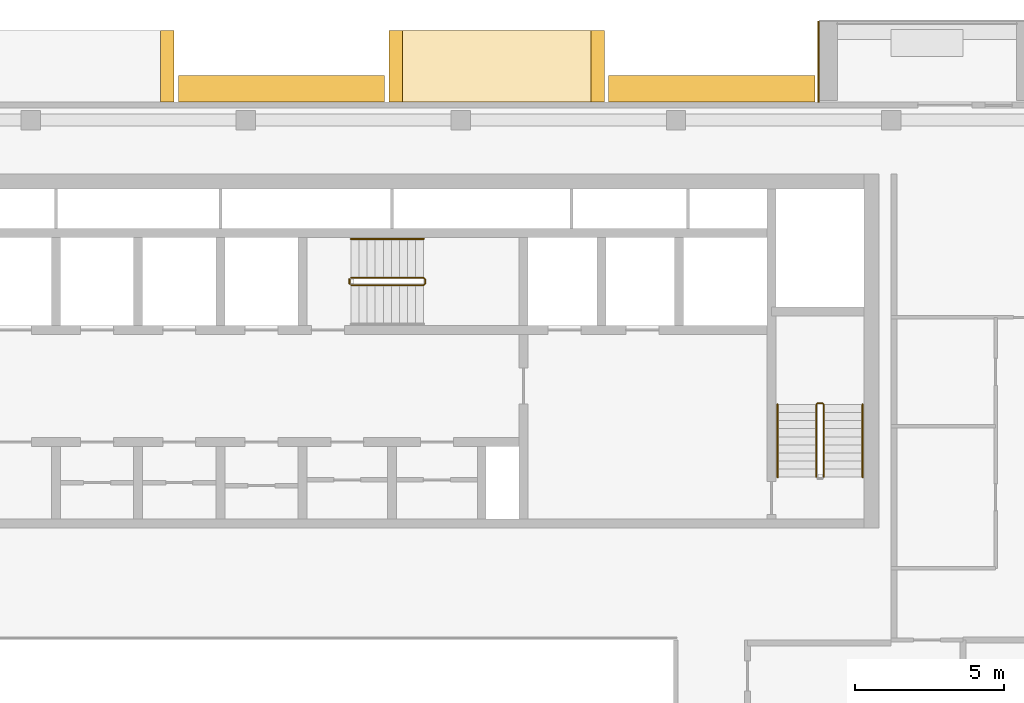
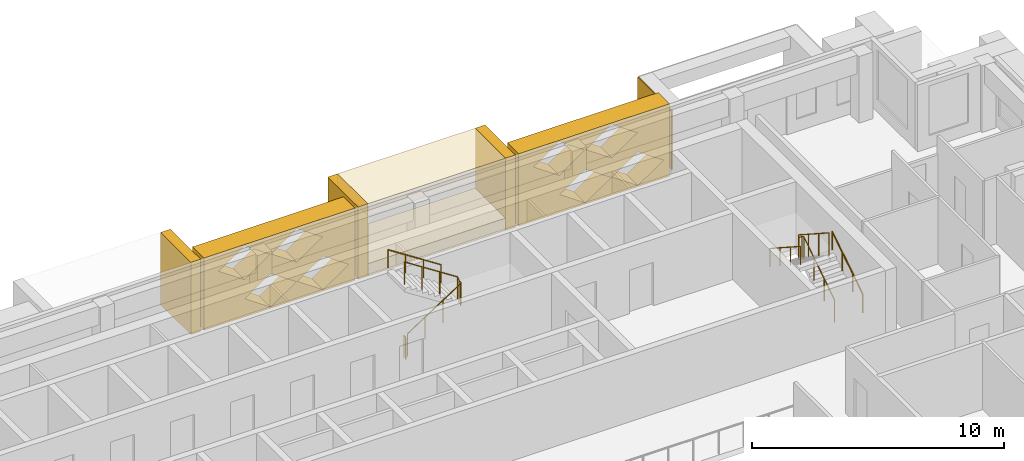
# One storey, part 18 of 19: 8 coverings, 6 railings.
"""IFC4 building model written with IfcOpenShell, lengths in metres."""

from ifc_helpers import new_model, si_unit, direction, frame, origin, origin_2d, place, context, subcontext, project, spatial, polyline, circle, outline, extrude, material, layer, layer_set, type_object, element, save


model = new_model("IFC4")

# Units and contexts
model_context = context("Model", 3, precision=1e-05, world=origin(), true_north=direction((0.0, 1.0)))
body_context = subcontext(model_context, "Body", "Model", "MODEL_VIEW")
ifc_project = project(units=[si_unit("LENGTHUNIT", "METRE"), si_unit("AREAUNIT", "SQUARE_METRE"), si_unit("VOLUMEUNIT", "CUBIC_METRE"), si_unit("PLANEANGLEUNIT", "RADIAN"), si_unit("MASSUNIT", "GRAM", prefix="KILO")], contexts=[model_context])

# Site, building, storey
site_placement = place(None, origin())
site = spatial("IfcSite", under=ifc_project, at=site_placement, CompositionType="ELEMENT")
building_placement = place(site_placement, origin())
building = spatial("IfcBuilding", under=site, at=building_placement, Name="Saffron Iwan Residences", CompositionType="ELEMENT")
storey_placement = place(building_placement, frame((0.0, 0.0, 236.0)))
storey = spatial("IfcBuildingStorey", under=building, at=storey_placement, Name="L63", CompositionType="ELEMENT", Elevation=236.0)

# Coverings
ifc_material_1 = material(Name="Precast concrete C40/50 white painted", Category="concrete")
ifc_layer = layer(ifc_material_1, 0.050048828125)
ifc_layer_set = layer_set([ifc_layer], Name="Precast concrete C40/50 white painted")
covering_type_1 = type_object("IfcCoveringType", Name="FRAME SKIN PRECAST WHITE 50", PredefinedType="CLADDING", material=ifc_layer_set)
covering_1_placement = place(storey_placement, origin())
element("IfcCovering", 1, at=covering_1_placement, inside=storey, type_object=covering_type_1, Name="Frame skin fin L63 F5-0b", PredefinedType="CLADDING", context=body_context, shape_type="SweptSolid", body=[
    extrude(outline(polyline([(69.60009765625, 83.10009765625), (69.550048828125, 83.10009765625), (69.550048828125, 80.39990234375), (69.60009765625, 80.39990234375), (69.60009765625, 83.10009765625)])), origin(), (0.0, 0.0, 1.0), 2.85009765625),
])
ifc_material_2 = material(Name="Precast concrete C40/50", Category="concrete")
covering_type_2 = type_object("IfcCoveringType", Name="OUTER SKIN LATTICE SCREEN", PredefinedType="CLADDING", material=ifc_material_2)
for number, where, z_axis, x_axis, name in (
    (2, (69.449951171875, 80.39990234375, -0.280029296875), (0.0, 1.0, 0.0), (-1.0, 0.0, 0.0), "OUTER SKIN lattice screen L63 F5.1"),
    (3, (55.050048828125, 80.39990234375, -0.280029296875), (0.0, 1.0, 0.0), (-1.0, 0.0, 0.0), "OUTER SKIN lattice screen L63 F5.2"),
):
    element("IfcCovering", number, at=place(storey_placement, frame(where, z_axis=z_axis, x_axis=x_axis)), inside=storey, type_object=covering_type_2, Name=name, PredefinedType="CLADDING", context=body_context, shape_type="SweptSolid", body=[
        extrude(outline(polyline([(0.0, 0.0), (6.89990234375, 0.0), (6.89990234375, 3.5), (0.0, 3.5), (0.0, 0.0)]), holes=[polyline([(0.27001953125, 0.875), (1.449951171875, 0.06005859375), (2.6298828125, 0.875), (1.449951171875, 1.68994140625), (0.27001953125, 0.875)]), polyline([(2.669921875, 0.875), (3.85009765625, 0.06005859375), (5.030029296875, 0.875), (3.85009765625, 1.68994140625), (2.669921875, 0.875)]), polyline([(1.469970703125, 2.625), (2.64990234375, 1.81005859375), (3.830078125, 2.625), (2.64990234375, 3.43994140625), (1.469970703125, 2.625)]), polyline([(3.8701171875, 2.625), (5.050048828125, 1.81005859375), (6.22998046875, 2.625), (5.050048828125, 3.43994140625), (3.8701171875, 2.625)])]), origin(), (0.0, 0.0, 1.0), 0.900146484375),
    ])

# Railings
ifc_material_3 = material(Name="Steel S355", Category="steel")
railing_type_1 = type_object("IfcRailingType", Name="Stair guard 1100", PredefinedType="GUARDRAIL", material=ifc_material_3)
railing_1_placement = place(storey_placement, frame((53.925048828125, 74.27490234375, 0.175048828125)))
element("IfcRailing", 4, at=railing_1_placement, inside=storey, type_object=railing_type_1, Name="L63 ST-C stair guard 1", PredefinedType="GUARDRAIL", context=body_context, shape_type="SweptSolid", body=[
    extrude(circle(Radius=0.02392578125, at=origin_2d()), frame((0.0, 0.0, 1.076171875), z_axis=(0.839153699163, 0.0, 0.543894354798), x_axis=(0.0, 1.0, 0.0)), (0.0, 0.0, 1.0), 2.895751953125),
    extrude(circle(Radius=0.02392578125, at=origin_2d()), frame((2.429931640625, 0.0, 2.65087890625), z_axis=(0.707106781187, 0.707106781187, 0.0), x_axis=(-0.707106781187, 0.707106781187, 0.0)), (0.0, 0.0, 1.0), 0.07080078125),
    extrude(circle(Radius=0.02392578125, at=origin_2d()), frame((2.47998046875, 0.050048828125, 2.65087890625), z_axis=(0.0, 1.0, 0.0), x_axis=(-1.0, 0.0, 0.0)), (0.0, 0.0, 1.0), 0.150146484375),
    extrude(circle(Radius=0.02392578125, at=origin_2d()), frame((2.47998046875, 0.2001953125, 2.65087890625), z_axis=(-0.265155923931, 0.263862480399, 0.927399011991), x_axis=(-0.705375805398, -0.708833529934, 0.0)), (0.0, 0.0, 1.0), 0.188720703125),
    extrude(circle(Radius=0.02392578125, at=origin_2d()), frame((2.429931640625, 0.25, 2.826171875), z_axis=(-0.839153699163, 0.0, 0.543894354798), x_axis=(0.0, -1.0, 0.0)), (0.0, 0.0, 1.0), 2.895751953125),
    extrude(circle(Radius=0.02099609375, at=origin_2d()), origin(), (0.0, 0.0, 1.0), 1.052001953125),
    extrude(circle(Radius=0.02099609375, at=origin_2d()), frame((0.81005859375, 0.0, 0.52490234375)), (0.0, 0.0, 1.0), 1.052001953125),
    extrude(circle(Radius=0.02099609375, at=origin_2d()), frame((1.619873046875, 0.0, 1.050048828125)), (0.0, 0.0, 1.0), 1.052001953125),
    extrude(circle(Radius=0.02099609375, at=origin_2d()), frame((2.429931640625, 0.0, 1.574951171875)), (0.0, 0.0, 1.0), 1.052001953125),
    extrude(circle(Radius=0.02099609375, at=origin_2d()), frame((2.47998046875, 0.050048828125, 1.574951171875)), (0.0, 0.0, 1.0), 1.052001953125),
    extrude(circle(Radius=0.02099609375, at=origin_2d()), frame((2.47998046875, 0.2001953125, 1.574951171875)), (0.0, 0.0, 1.0), 1.052001953125),
    extrude(circle(Radius=0.02099609375, at=origin_2d()), frame((2.429931640625, 0.25, 1.75)), (0.0, 0.0, 1.0), 1.052001953125),
    extrude(circle(Radius=0.02099609375, at=origin_2d()), frame((1.619873046875, 0.25, 2.27490234375)), (0.0, 0.0, 1.0), 1.052001953125),
    extrude(circle(Radius=0.02099609375, at=origin_2d()), frame((0.81005859375, 0.25, 2.800048828125)), (0.0, 0.0, 1.0), 1.052001953125),
    extrude(circle(Radius=0.02099609375, at=origin_2d()), frame((0.0, 0.25, 3.324951171875)), (0.0, 0.0, 1.0), 1.052001953125),
])
railing_2_placement = place(storey_placement, frame((53.875, 74.324951171875, 0.0)))
element("IfcRailing", 5, at=railing_2_placement, inside=storey, type_object=railing_type_1, Name="L63 ST-C stair guard 2", PredefinedType="GUARDRAIL", context=body_context, shape_type="SweptSolid", body=[
    extrude(circle(Radius=0.02392578125, at=origin_2d()), frame((0.0, 0.0, 1.076171875), z_axis=(0.0, 1.0, 0.0), x_axis=(-1.0, 0.0, 0.0)), (0.0, 0.0, 1.0), 0.150146484375),
    extrude(circle(Radius=0.02099609375, at=origin_2d()), origin(), (0.0, 0.0, 1.0), 1.052001953125),
    extrude(circle(Radius=0.02099609375, at=origin_2d()), frame((0.0, 0.150146484375, 0.0)), (0.0, 0.0, 1.0), 1.052001953125),
])
railing_3_placement = place(storey_placement, frame((69.75, 67.85009765625, 0.175048828125)))
element("IfcRailing", 6, at=railing_3_placement, inside=storey, type_object=railing_type_1, Name="L63 ST-E stair guard 1", PredefinedType="GUARDRAIL", context=body_context, shape_type="SweptSolid", body=[
    extrude(circle(Radius=0.02392578125, at=origin_2d()), frame((0.0, 0.0, 1.076171875), z_axis=(0.0, 0.839153699163, 0.543894354798), x_axis=(-1.0, 0.0, 0.0)), (0.0, 0.0, 1.0), 2.895751953125),
    extrude(circle(Radius=0.02392578125, at=origin_2d()), frame((0.0, 2.429931640625, 2.65087890625), z_axis=(-0.707106781187, 0.707106781187, 0.0), x_axis=(-0.707106781187, -0.707106781187, 0.0)), (0.0, 0.0, 1.0), 0.07080078125),
    extrude(circle(Radius=0.02392578125, at=origin_2d()), frame((-0.050048828125, 2.47998046875, 2.65087890625), z_axis=(-1.0, 0.0, 0.0), x_axis=(0.0, -1.0, 0.0)), (0.0, 0.0, 1.0), 0.14990234375),
    extrude(circle(Radius=0.02392578125, at=origin_2d()), frame((-0.199951171875, 2.47998046875, 2.65087890625), z_axis=(-0.265065253269, -0.265065253269, 0.927081885822), x_axis=(0.707106781187, -0.707106781187, 0.0)), (0.0, 0.0, 1.0), 0.188720703125),
    extrude(circle(Radius=0.02392578125, at=origin_2d()), frame((-0.25, 2.429931640625, 2.826171875), z_axis=(0.0, -0.839153699163, 0.543894354798), x_axis=(1.0, 0.0, 0.0)), (0.0, 0.0, 1.0), 2.895751953125),
    extrude(circle(Radius=0.02099609375, at=origin_2d()), origin(), (0.0, 0.0, 1.0), 1.052001953125),
    extrude(circle(Radius=0.02099609375, at=origin_2d()), frame((0.0, 0.81005859375, 0.52490234375)), (0.0, 0.0, 1.0), 1.052001953125),
    extrude(circle(Radius=0.02099609375, at=origin_2d()), frame((0.0, 1.619873046875, 1.050048828125)), (0.0, 0.0, 1.0), 1.052001953125),
    extrude(circle(Radius=0.02099609375, at=origin_2d()), frame((0.0, 2.429931640625, 1.574951171875)), (0.0, 0.0, 1.0), 1.052001953125),
    extrude(circle(Radius=0.02099609375, at=origin_2d()), frame((-0.050048828125, 2.47998046875, 1.574951171875)), (0.0, 0.0, 1.0), 1.052001953125),
    extrude(circle(Radius=0.02099609375, at=origin_2d()), frame((-0.199951171875, 2.47998046875, 1.574951171875)), (0.0, 0.0, 1.0), 1.052001953125),
    extrude(circle(Radius=0.02099609375, at=origin_2d()), frame((-0.25, 2.429931640625, 1.75)), (0.0, 0.0, 1.0), 1.052001953125),
    extrude(circle(Radius=0.02099609375, at=origin_2d()), frame((-0.25, 1.619873046875, 2.27490234375)), (0.0, 0.0, 1.0), 1.052001953125),
    extrude(circle(Radius=0.02099609375, at=origin_2d()), frame((-0.25, 0.81005859375, 2.800048828125)), (0.0, 0.0, 1.0), 1.052001953125),
    extrude(circle(Radius=0.02099609375, at=origin_2d()), frame((-0.25, 0.0, 3.324951171875)), (0.0, 0.0, 1.0), 1.052001953125),
])
ifc_material_4 = material(Name="Stainless steel 316", Category="steel")
railing_type_2 = type_object("IfcRailingType", Name="Stair handrail 900", PredefinedType="HANDRAIL", material=ifc_material_4)
railing_4_placement = place(storey_placement, frame((56.35498046875, 75.824951171875, 1.925048828125)))
element("IfcRailing", 7, at=railing_4_placement, inside=storey, type_object=railing_type_2, Name="L63 ST-C stair handrail 2", PredefinedType="HANDRAIL", context=body_context, shape_type="SweptSolid", body=[
    extrude(circle(Radius=0.02392578125, at=origin_2d()), frame((0.0, 0.0, 0.8759765625), z_axis=(-0.839153699163, 0.0, 0.543894354798), x_axis=(0.0, -1.0, 0.0)), (0.0, 0.0, 1.0), 2.895751953125),
    extrude(circle(Radius=0.02099609375, at=origin_2d()), origin(), (0.0, 0.0, 1.0), 0.851806640625),
    extrude(circle(Radius=0.02099609375, at=origin_2d()), frame((-0.81005859375, 0.0, 0.52490234375)), (0.0, 0.0, 1.0), 0.851806640625),
    extrude(circle(Radius=0.02099609375, at=origin_2d()), frame((-1.619873046875, 0.0, 1.050048828125)), (0.0, 0.0, 1.0), 0.851806640625),
    extrude(circle(Radius=0.02099609375, at=origin_2d()), frame((-2.429931640625, 0.0, 1.574951171875)), (0.0, 0.0, 1.0), 0.851806640625),
])
railing_5_placement = place(storey_placement, frame((71.050048828125, 67.85009765625, 0.175048828125)))
element("IfcRailing", 8, at=railing_5_placement, inside=storey, type_object=railing_type_2, Name="L63 ST-E stair handrail 1", PredefinedType="HANDRAIL", context=body_context, shape_type="SweptSolid", body=[
    extrude(circle(Radius=0.02392578125, at=origin_2d()), frame((0.0, 0.0, 0.8759765625), z_axis=(0.0, 0.839153699163, 0.543894354798), x_axis=(-1.0, 0.0, 0.0)), (0.0, 0.0, 1.0), 2.895751953125),
    extrude(circle(Radius=0.02099609375, at=origin_2d()), origin(), (0.0, 0.0, 1.0), 0.851806640625),
    extrude(circle(Radius=0.02099609375, at=origin_2d()), frame((0.0, 0.81005859375, 0.52490234375)), (0.0, 0.0, 1.0), 0.851806640625),
    extrude(circle(Radius=0.02099609375, at=origin_2d()), frame((0.0, 1.619873046875, 1.050048828125)), (0.0, 0.0, 1.0), 0.851806640625),
    extrude(circle(Radius=0.02099609375, at=origin_2d()), frame((0.0, 2.429931640625, 1.574951171875)), (0.0, 0.0, 1.0), 0.851806640625),
])
railing_6_placement = place(storey_placement, frame((68.199951171875, 70.280029296875, 1.925048828125)))
element("IfcRailing", 9, at=railing_6_placement, inside=storey, type_object=railing_type_2, Name="L63 ST-E stair handrail 2", PredefinedType="HANDRAIL", context=body_context, shape_type="SweptSolid", body=[
    extrude(circle(Radius=0.02392578125, at=origin_2d()), frame((0.0, 0.0, 0.8759765625), z_axis=(0.0, -0.839153699163, 0.543894354798), x_axis=(1.0, 0.0, 0.0)), (0.0, 0.0, 1.0), 2.895751953125),
    extrude(circle(Radius=0.02099609375, at=origin_2d()), origin(), (0.0, 0.0, 1.0), 0.851806640625),
    extrude(circle(Radius=0.02099609375, at=origin_2d()), frame((0.0, -0.81005859375, 0.52490234375)), (0.0, 0.0, 1.0), 0.851806640625),
    extrude(circle(Radius=0.02099609375, at=origin_2d()), frame((0.0, -1.619873046875, 1.050048828125)), (0.0, 0.0, 1.0), 0.851806640625),
    extrude(circle(Radius=0.02099609375, at=origin_2d()), frame((0.0, -2.429931640625, 1.574951171875)), (0.0, 0.0, 1.0), 0.851806640625),
])

# Coverings
covering_type_3 = type_object("IfcCoveringType", Name="WHITE SUN FRAME PRECAST", PredefinedType="CLADDING", material=ifc_material_1)
for number, where, z_axis, x_axis, name in (
    (10, (62.39990234375, 80.39990234375, -0.280029296875), (0.0, 1.0, 0.0), (-1.0, 0.0, 0.0), "Sun frame L63 F5 16.4a"),
    (11, (55.64990234375, 80.39990234375, -0.280029296875), (0.0, 1.0, 0.0), (-1.0, 0.0, 0.0), "Sun frame L63 F5 16.4b"),
):
    element("IfcCovering", number, at=place(storey_placement, frame(where, z_axis=z_axis, x_axis=x_axis)), inside=storey, type_object=covering_type_3, Name=name, PredefinedType="CLADDING", context=body_context, shape_type="SweptSolid", body=[
        extrude(outline(polyline([(0.0, 0.0), (0.449951171875, 0.0), (0.449951171875, 3.5), (0.0, 3.5), (0.0, 0.0)])), origin(), (0.0, 0.0, 1.0), 2.400146484375),
    ])
for number, where, z_axis, x_axis, name in (
    (12, (61.949951171875, 80.39990234375, 2.6201171875), (0.0, 1.0, 0.0), (-1.0, 0.0, 0.0), "Sun frame L63 F5 16.4h"),
    (13, (61.949951171875, 80.39990234375, -0.280029296875), (0.0, 1.0, 0.0), (-1.0, 0.0, 0.0), "Sun frame L63 F5 16.4s"),
):
    element("IfcCovering", number, at=place(storey_placement, frame(where, z_axis=z_axis, x_axis=x_axis)), inside=storey, type_object=covering_type_3, Name=name, PredefinedType="CLADDING", context=body_context, shape_type="SweptSolid", body=[
        extrude(outline(polyline([(0.0, 0.0), (6.300048828125, 0.0), (6.300048828125, 0.60009765625), (0.0, 0.60009765625), (0.0, 0.0)])), origin(), (0.0, 0.0, 1.0), 2.400146484375),
    ])
covering_2_placement = place(storey_placement, frame((48.0, 80.39990234375, -0.280029296875), z_axis=(0.0, 1.0, 0.0), x_axis=(-1.0, 0.0, 0.0)))
element("IfcCovering", 14, at=covering_2_placement, inside=storey, type_object=covering_type_3, Name="Sun frame L63 F5 30.8a", PredefinedType="CLADDING", context=body_context, shape_type="SweptSolid", body=[
    extrude(outline(polyline([(0.0, 0.0), (0.449951171875, 0.0), (0.449951171875, 3.5), (0.0, 3.5), (0.0, 0.0)])), origin(), (0.0, 0.0, 1.0), 2.400146484375),
])

save(model, "model.ifc")
